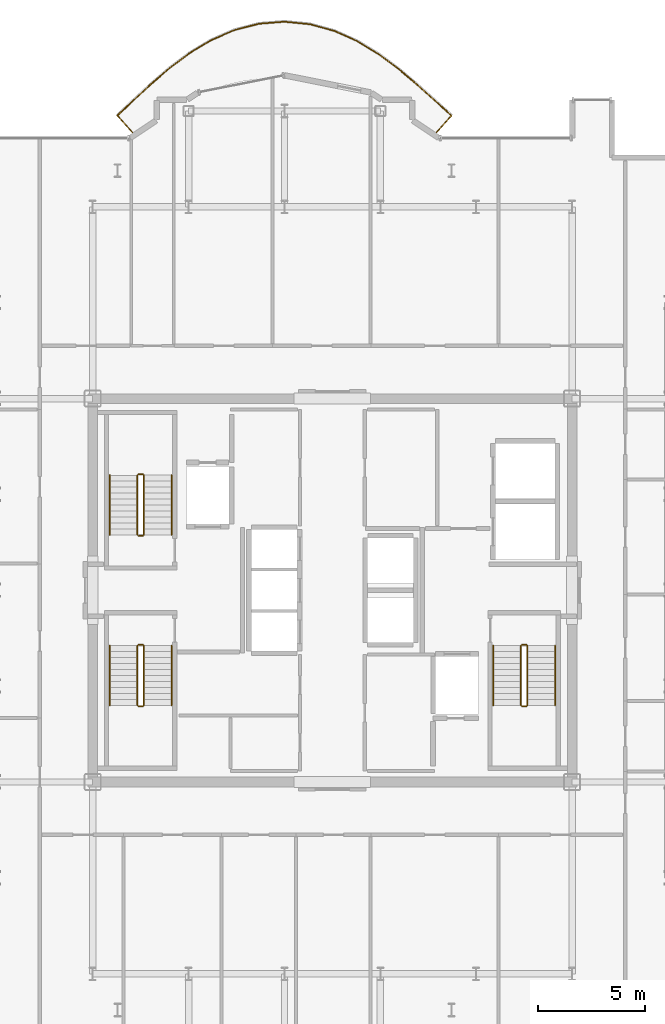
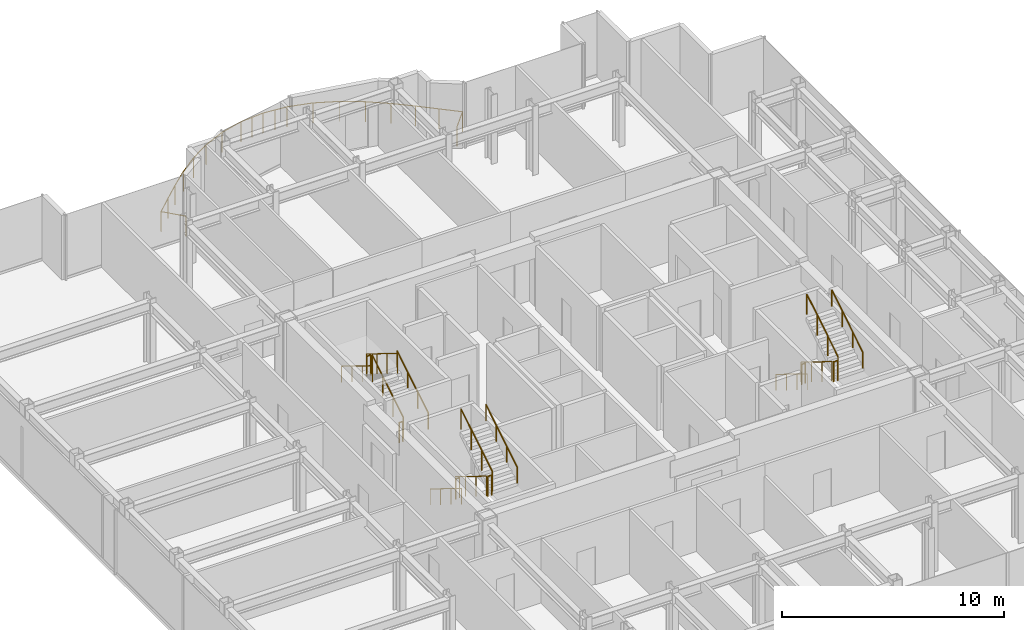
# One storey, part 18 of 18: 19 railings.
"""IFC4 building model written with IfcOpenShell, lengths in metres."""

from ifc_helpers import new_model, si_unit, direction, frame, origin, origin_2d, place, context, subcontext, project, spatial, circle, extrude, material, type_object, element, save


model = new_model("IFC4")

# Units and contexts
model_context = context("Model", 3, precision=1e-05, world=origin(), true_north=direction((0.0, 1.0)))
body_context = subcontext(model_context, "Body", "Model", "MODEL_VIEW")
ifc_project = project(units=[si_unit("LENGTHUNIT", "METRE"), si_unit("AREAUNIT", "SQUARE_METRE"), si_unit("VOLUMEUNIT", "CUBIC_METRE"), si_unit("PLANEANGLEUNIT", "RADIAN"), si_unit("MASSUNIT", "GRAM", prefix="KILO")], contexts=[model_context])

# Site, building, storey
site_placement = place(None, origin())
site = spatial("IfcSite", under=ifc_project, at=site_placement, CompositionType="ELEMENT")
building_placement = place(site_placement, origin())
building = spatial("IfcBuilding", under=site, at=building_placement, Name="Nefas-Gora Pilgrimage Tower", CompositionType="ELEMENT")
storey_placement = place(building_placement, frame((0.0, 0.0, 291.199951171875)))
storey = spatial("IfcBuildingStorey", under=building, at=storey_placement, Name="L73", CompositionType="ELEMENT", Elevation=291.199951171875)

# Railings
ifc_material_1 = material(Name="Laminated safety glass and stainless steel", Category="steel")
railing_type_1 = type_object("IfcRailingType", Name="RLG-BAL-1100", PredefinedType="BALUSTRADE", material=ifc_material_1)
railing_1_placement = place(storey_placement, frame((4.802490234375, 21.402587890625, 0.0)))
element("IfcRailing", 1, at=railing_1_placement, inside=storey, type_object=railing_type_1, Name="L73 Wave Balcony Balustrade N1", PredefinedType="BALUSTRADE", context=body_context, shape_type="SweptSolid", body=[
    extrude(circle(Radius=0.02392578125, at=origin_2d()), frame((0.0, 0.0, 1.09619140625), z_axis=(0.669113274241, 0.74316043102, 0.0), x_axis=(-0.74316043102, 0.669113274241, 0.0)), (0.0, 0.0, 1.0), 1.180419921875),
    extrude(circle(Radius=0.02392578125, at=origin_2d()), frame((0.789794921875, 0.877197265625, 1.09619140625), z_axis=(-0.741691494507, 0.670741177337, 0.0), x_axis=(-0.670741177337, -0.741691494507, 0.0)), (0.0, 0.0, 1.0), 1.0771484375),
    extrude(circle(Radius=0.02392578125, at=origin_2d()), frame((-0.009033203125, 1.599609375, 1.09619140625), z_axis=(-0.744512131343, 0.667608932147, 0.0), x_axis=(-0.667608932147, -0.744512131343, 0.0)), (0.0, 0.0, 1.0), 1.09521484375),
    extrude(circle(Radius=0.02392578125, at=origin_2d()), frame((-0.824462890625, 2.330810546875, 1.09619140625), z_axis=(-0.763015425676, 0.64638027521, 0.0), x_axis=(-0.64638027521, -0.763015425676, 0.0)), (0.0, 0.0, 1.0), 1.1240234375),
    extrude(circle(Radius=0.02392578125, at=origin_2d()), frame((-1.68212890625, 3.057373046875, 1.09619140625), z_axis=(-0.800735220579, 0.599018452574, 0.0), x_axis=(-0.599018452574, -0.800735220579, 0.0)), (0.0, 0.0, 1.0), 1.154541015625),
    extrude(circle(Radius=0.02392578125, at=origin_2d()), frame((-2.606689453125, 3.7490234375, 1.09619140625), z_axis=(-0.853742280901, 0.520695801598, 0.0), x_axis=(-0.520695801598, -0.853742280901, 0.0)), (0.0, 0.0, 1.0), 1.1787109375),
    extrude(circle(Radius=0.02392578125, at=origin_2d()), frame((-3.613037109375, 4.36279296875, 1.09619140625), z_axis=(-0.912533024613, 0.409003030539, 0.0), x_axis=(-0.409003030539, -0.912533024613, 0.0)), (0.0, 0.0, 1.0), 1.193115234375),
    extrude(circle(Radius=0.02392578125, at=origin_2d()), frame((-4.701904296875, 4.850830078125, 1.09619140625), z_axis=(-0.964107720996, 0.265511397715, 0.0), x_axis=(-0.265511397715, -0.964107720996, 0.0)), (0.0, 0.0, 1.0), 1.198974609375),
    extrude(circle(Radius=0.02392578125, at=origin_2d()), frame((-5.85791015625, 5.169189453125, 1.09619140625), z_axis=(-0.99518310835, 0.098033570044, 0.0), x_axis=(-0.098033570044, -0.99518310835, 0.0)), (0.0, 0.0, 1.0), 1.200439453125),
    extrude(circle(Radius=0.02392578125, at=origin_2d()), frame((-7.052490234375, 5.286865234375, 1.09619140625), z_axis=(-0.996817864329, -0.079712893272, 0.0), x_axis=(0.079712893272, -0.996817864329, 0.0)), (0.0, 0.0, 1.0), 1.20068359375),
    extrude(circle(Radius=0.02392578125, at=origin_2d()), frame((-8.249267578125, 5.191162109375, 1.09619140625), z_axis=(-0.96811032682, -0.250524240554, 0.0), x_axis=(0.250524240554, -0.96811032682, 0.0)), (0.0, 0.0, 1.0), 1.19970703125),
    extrude(circle(Radius=0.02392578125, at=origin_2d()), frame((-9.41064453125, 4.890625, 1.09619140625), z_axis=(-0.917018073476, -0.398845650496, 0.0), x_axis=(0.398845650496, -0.917018073476, 0.0)), (0.0, 0.0, 1.0), 1.19482421875),
    extrude(circle(Radius=0.02392578125, at=origin_2d()), frame((-10.50634765625, 4.4140625, 1.09619140625), z_axis=(-0.856288410146, -0.516497975455, 0.0), x_axis=(0.516497975455, -0.856288410146, 0.0)), (0.0, 0.0, 1.0), 1.1826171875),
    extrude(circle(Radius=0.02392578125, at=origin_2d()), frame((-11.51904296875, 3.80322265625, 1.09619140625), z_axis=(-0.799393735848, -0.600807502522, 0.0), x_axis=(0.600807502522, -0.799393735848, 0.0)), (0.0, 0.0, 1.0), 1.16064453125),
    extrude(circle(Radius=0.02392578125, at=origin_2d()), frame((-12.44677734375, 3.10595703125, 1.09619140625), z_axis=(-0.756920087297, -0.653507445593, 0.0), x_axis=(0.653507445593, -0.756920087297, 0.0)), (0.0, 0.0, 1.0), 1.130859375),
    extrude(circle(Radius=0.02392578125, at=origin_2d()), frame((-13.302734375, 2.366943359375, 1.09619140625), z_axis=(-0.733756578496, -0.679412454635, 0.0), x_axis=(0.679412454635, -0.733756578496, 0.0)), (0.0, 0.0, 1.0), 1.1005859375),
    extrude(circle(Radius=0.02392578125, at=origin_2d()), frame((-14.1103515625, 1.619140625, 1.09619140625), z_axis=(-0.727934382881, -0.685646799905, 0.0), x_axis=(0.685646799905, -0.727934382881, 0.0)), (0.0, 0.0, 1.0), 1.07958984375),
    extrude(circle(Radius=0.02392578125, at=origin_2d()), frame((-14.896240234375, 0.87890625, 1.09619140625), z_axis=(0.669078780144, -0.743191486739, 0.0), x_axis=(0.743191486739, 0.669078780144, 0.0)), (0.0, 0.0, 1.0), 1.1826171875),
    extrude(circle(Radius=0.02099609375, at=origin_2d()), origin(), (0.0, 0.0, 1.0), 1.072021484375),
    extrude(circle(Radius=0.02099609375, at=origin_2d()), frame((0.789794921875, 0.877197265625, 0.0)), (0.0, 0.0, 1.0), 1.072021484375),
    extrude(circle(Radius=0.02099609375, at=origin_2d()), frame((-0.009033203125, 1.599609375, 0.0)), (0.0, 0.0, 1.0), 1.072021484375),
    extrude(circle(Radius=0.02099609375, at=origin_2d()), frame((-0.824462890625, 2.330810546875, 0.0)), (0.0, 0.0, 1.0), 1.072021484375),
    extrude(circle(Radius=0.02099609375, at=origin_2d()), frame((-1.68212890625, 3.057373046875, 0.0)), (0.0, 0.0, 1.0), 1.072021484375),
    extrude(circle(Radius=0.02099609375, at=origin_2d()), frame((-2.606689453125, 3.7490234375, 0.0)), (0.0, 0.0, 1.0), 1.072021484375),
    extrude(circle(Radius=0.02099609375, at=origin_2d()), frame((-3.613037109375, 4.36279296875, 0.0)), (0.0, 0.0, 1.0), 1.072021484375),
    extrude(circle(Radius=0.02099609375, at=origin_2d()), frame((-4.701904296875, 4.850830078125, 0.0)), (0.0, 0.0, 1.0), 1.072021484375),
    extrude(circle(Radius=0.02099609375, at=origin_2d()), frame((-5.85791015625, 5.169189453125, 0.0)), (0.0, 0.0, 1.0), 1.072021484375),
    extrude(circle(Radius=0.02099609375, at=origin_2d()), frame((-6.455078125, 5.22802734375, 0.0)), (0.0, 0.0, 1.0), 1.072021484375),
    extrude(circle(Radius=0.02099609375, at=origin_2d()), frame((-7.052490234375, 5.286865234375, 0.0)), (0.0, 0.0, 1.0), 1.072021484375),
    extrude(circle(Radius=0.02099609375, at=origin_2d()), frame((-7.65087890625, 5.239013671875, 0.0)), (0.0, 0.0, 1.0), 1.072021484375),
    extrude(circle(Radius=0.02099609375, at=origin_2d()), frame((-8.249267578125, 5.191162109375, 0.0)), (0.0, 0.0, 1.0), 1.072021484375),
    extrude(circle(Radius=0.02099609375, at=origin_2d()), frame((-9.41064453125, 4.890625, 0.0)), (0.0, 0.0, 1.0), 1.072021484375),
    extrude(circle(Radius=0.02099609375, at=origin_2d()), frame((-10.50634765625, 4.4140625, 0.0)), (0.0, 0.0, 1.0), 1.072021484375),
    extrude(circle(Radius=0.02099609375, at=origin_2d()), frame((-11.51904296875, 3.80322265625, 0.0)), (0.0, 0.0, 1.0), 1.072021484375),
    extrude(circle(Radius=0.02099609375, at=origin_2d()), frame((-12.44677734375, 3.10595703125, 0.0)), (0.0, 0.0, 1.0), 1.072021484375),
    extrude(circle(Radius=0.02099609375, at=origin_2d()), frame((-13.302734375, 2.366943359375, 0.0)), (0.0, 0.0, 1.0), 1.072021484375),
    extrude(circle(Radius=0.02099609375, at=origin_2d()), frame((-14.1103515625, 1.619140625, 0.0)), (0.0, 0.0, 1.0), 1.072021484375),
    extrude(circle(Radius=0.02099609375, at=origin_2d()), frame((-14.896240234375, 0.87890625, 0.0)), (0.0, 0.0, 1.0), 1.072021484375),
    extrude(circle(Radius=0.02099609375, at=origin_2d()), frame((-14.10498046875, 0.0, 0.0)), (0.0, 0.0, 1.0), 1.072021484375),
])
ifc_material_2 = material(Name="Painted galvanised steel", Category="steel")
railing_type_2 = type_object("IfcRailingType", Name="RLG-STR-GUARD-1100", PredefinedType="GUARDRAIL", material=ifc_material_2)
railing_2_placement = place(storey_placement, frame((-8.85009765625, 2.60009765625, 0.1728515625)))
element("IfcRailing", 2, at=railing_2_placement, inside=storey, type_object=railing_type_2, Name="L73 ST-01 stair guard 1", PredefinedType="GUARDRAIL", context=body_context, shape_type="SweptSolid", body=[
    extrude(circle(Radius=0.02392578125, at=origin_2d()), frame((0.0, 0.0, 1.09619140625), z_axis=(0.0, 0.851069175582, 0.525053576669), x_axis=(-1.0, 0.0, 0.0)), (0.0, 0.0, 1.0), 3.289794921875),
    extrude(circle(Radius=0.02099609375, at=origin_2d()), origin(), (0.0, 0.0, 1.0), 1.072021484375),
    extrude(circle(Radius=0.02099609375, at=origin_2d()), frame((0.0, 0.933349609375, 0.57568359375)), (0.0, 0.0, 1.0), 1.072021484375),
    extrude(circle(Radius=0.02099609375, at=origin_2d()), frame((0.0, 1.866455078125, 1.151611328125)), (0.0, 0.0, 1.0), 1.072021484375),
    extrude(circle(Radius=0.02099609375, at=origin_2d()), frame((0.0, 2.7998046875, 1.727294921875)), (0.0, 0.0, 1.0), 1.072021484375),
])
railing_3_placement = place(storey_placement, frame((-8.89990234375, 5.449951171875, 1.900146484375)))
element("IfcRailing", 3, at=railing_3_placement, inside=storey, type_object=railing_type_2, Name="L73 ST-01 stair guard 2", PredefinedType="GUARDRAIL", context=body_context, shape_type="SweptSolid", body=[
    extrude(circle(Radius=0.02392578125, at=origin_2d()), frame((0.0, 0.0, 1.09619140625), z_axis=(-1.0, 0.0, 0.0), x_axis=(0.0, -1.0, 0.0)), (0.0, 0.0, 1.0), 0.2001953125),
    extrude(circle(Radius=0.02099609375, at=origin_2d()), origin(), (0.0, 0.0, 1.0), 1.072021484375),
    extrude(circle(Radius=0.02099609375, at=origin_2d()), frame((-0.2001953125, 0.0, 0.0)), (0.0, 0.0, 1.0), 1.072021484375),
])
railing_4_placement = place(storey_placement, frame((-9.14990234375, 5.39990234375, 2.07275390625)))
element("IfcRailing", 4, at=railing_4_placement, inside=storey, type_object=railing_type_2, Name="L73 ST-01 stair guard 3", PredefinedType="GUARDRAIL", context=body_context, shape_type="SweptSolid", body=[
    extrude(circle(Radius=0.02392578125, at=origin_2d()), frame((0.0, 0.0, 1.09619140625), z_axis=(0.0, -0.851069175582, 0.525053576669), x_axis=(1.0, 0.0, 0.0)), (0.0, 0.0, 1.0), 3.289794921875),
    extrude(circle(Radius=0.02099609375, at=origin_2d()), origin(), (0.0, 0.0, 1.0), 1.072021484375),
    extrude(circle(Radius=0.02099609375, at=origin_2d()), frame((0.0, -0.933349609375, 0.57568359375)), (0.0, 0.0, 1.0), 1.072021484375),
    extrude(circle(Radius=0.02099609375, at=origin_2d()), frame((0.0, -1.866455078125, 1.151611328125)), (0.0, 0.0, 1.0), 1.072021484375),
    extrude(circle(Radius=0.02099609375, at=origin_2d()), frame((0.0, -2.7998046875, 1.727294921875)), (0.0, 0.0, 1.0), 1.072021484375),
])
railing_5_placement = place(storey_placement, frame((-8.89990234375, 2.550048828125, 0.0)))
element("IfcRailing", 5, at=railing_5_placement, inside=storey, type_object=railing_type_2, Name="L73 ST-01 stair guard 4", PredefinedType="GUARDRAIL", context=body_context, shape_type="SweptSolid", body=[
    extrude(circle(Radius=0.02392578125, at=origin_2d()), frame((0.0, 0.0, 1.09619140625), z_axis=(-1.0, 0.0, 0.0), x_axis=(0.0, -1.0, 0.0)), (0.0, 0.0, 1.0), 0.2001953125),
    extrude(circle(Radius=0.02099609375, at=origin_2d()), origin(), (0.0, 0.0, 1.0), 1.072021484375),
    extrude(circle(Radius=0.02099609375, at=origin_2d()), frame((-0.2001953125, 0.0, 0.0)), (0.0, 0.0, 1.0), 1.072021484375),
])
railing_6_placement = place(storey_placement, frame((8.85009765625, -2.60009765625, 0.1728515625)))
element("IfcRailing", 6, at=railing_6_placement, inside=storey, type_object=railing_type_2, Name="L73 ST-02 stair guard 1", PredefinedType="GUARDRAIL", context=body_context, shape_type="SweptSolid", body=[
    extrude(circle(Radius=0.02392578125, at=origin_2d()), frame((0.0, 0.0, 1.09619140625), z_axis=(0.0, -0.851069175582, 0.525053576669), x_axis=(1.0, 0.0, 0.0)), (0.0, 0.0, 1.0), 3.289794921875),
    extrude(circle(Radius=0.02099609375, at=origin_2d()), origin(), (0.0, 0.0, 1.0), 1.072021484375),
    extrude(circle(Radius=0.02099609375, at=origin_2d()), frame((0.0, -0.933349609375, 0.57568359375)), (0.0, 0.0, 1.0), 1.072021484375),
    extrude(circle(Radius=0.02099609375, at=origin_2d()), frame((0.0, -1.866455078125, 1.151611328125)), (0.0, 0.0, 1.0), 1.072021484375),
    extrude(circle(Radius=0.02099609375, at=origin_2d()), frame((0.0, -2.7998046875, 1.727294921875)), (0.0, 0.0, 1.0), 1.072021484375),
])
railing_7_placement = place(storey_placement, frame((8.89990234375, -5.449951171875, 1.900146484375)))
element("IfcRailing", 7, at=railing_7_placement, inside=storey, type_object=railing_type_2, Name="L73 ST-02 stair guard 2", PredefinedType="GUARDRAIL", context=body_context, shape_type="SweptSolid", body=[
    extrude(circle(Radius=0.02392578125, at=origin_2d()), frame((0.0, 0.0, 1.09619140625), z_axis=(1.0, 0.0, 0.0), x_axis=(0.0, 1.0, 0.0)), (0.0, 0.0, 1.0), 0.2001953125),
    extrude(circle(Radius=0.02099609375, at=origin_2d()), origin(), (0.0, 0.0, 1.0), 1.072021484375),
    extrude(circle(Radius=0.02099609375, at=origin_2d()), frame((0.2001953125, 0.0, 0.0)), (0.0, 0.0, 1.0), 1.072021484375),
])
railing_8_placement = place(storey_placement, frame((9.14990234375, -5.39990234375, 2.07275390625)))
element("IfcRailing", 8, at=railing_8_placement, inside=storey, type_object=railing_type_2, Name="L73 ST-02 stair guard 3", PredefinedType="GUARDRAIL", context=body_context, shape_type="SweptSolid", body=[
    extrude(circle(Radius=0.02392578125, at=origin_2d()), frame((0.0, 0.0, 1.09619140625), z_axis=(0.0, 0.851069175582, 0.525053576669), x_axis=(-1.0, 0.0, 0.0)), (0.0, 0.0, 1.0), 3.289794921875),
    extrude(circle(Radius=0.02099609375, at=origin_2d()), origin(), (0.0, 0.0, 1.0), 1.072021484375),
    extrude(circle(Radius=0.02099609375, at=origin_2d()), frame((0.0, 0.933349609375, 0.57568359375)), (0.0, 0.0, 1.0), 1.072021484375),
    extrude(circle(Radius=0.02099609375, at=origin_2d()), frame((0.0, 1.866455078125, 1.151611328125)), (0.0, 0.0, 1.0), 1.072021484375),
    extrude(circle(Radius=0.02099609375, at=origin_2d()), frame((0.0, 2.7998046875, 1.727294921875)), (0.0, 0.0, 1.0), 1.072021484375),
])
railing_9_placement = place(storey_placement, frame((8.89990234375, -2.550048828125, 0.0)))
element("IfcRailing", 9, at=railing_9_placement, inside=storey, type_object=railing_type_2, Name="L73 ST-02 stair guard 4", PredefinedType="GUARDRAIL", context=body_context, shape_type="SweptSolid", body=[
    extrude(circle(Radius=0.02392578125, at=origin_2d()), frame((0.0, 0.0, 1.09619140625), z_axis=(1.0, 0.0, 0.0), x_axis=(0.0, 1.0, 0.0)), (0.0, 0.0, 1.0), 0.2001953125),
    extrude(circle(Radius=0.02099609375, at=origin_2d()), origin(), (0.0, 0.0, 1.0), 1.072021484375),
    extrude(circle(Radius=0.02099609375, at=origin_2d()), frame((0.2001953125, 0.0, 0.0)), (0.0, 0.0, 1.0), 1.072021484375),
])
railing_10_placement = place(storey_placement, frame((-9.14990234375, -2.60009765625, 0.1728515625)))
element("IfcRailing", 10, at=railing_10_placement, inside=storey, type_object=railing_type_2, Name="L73 ST-03 stair guard 1", PredefinedType="GUARDRAIL", context=body_context, shape_type="SweptSolid", body=[
    extrude(circle(Radius=0.02392578125, at=origin_2d()), frame((0.0, 0.0, 1.09619140625), z_axis=(0.0, -0.851069175582, 0.525053576669), x_axis=(1.0, 0.0, 0.0)), (0.0, 0.0, 1.0), 3.289794921875),
    extrude(circle(Radius=0.02099609375, at=origin_2d()), origin(), (0.0, 0.0, 1.0), 1.072021484375),
    extrude(circle(Radius=0.02099609375, at=origin_2d()), frame((0.0, -0.933349609375, 0.57568359375)), (0.0, 0.0, 1.0), 1.072021484375),
    extrude(circle(Radius=0.02099609375, at=origin_2d()), frame((0.0, -1.866455078125, 1.151611328125)), (0.0, 0.0, 1.0), 1.072021484375),
    extrude(circle(Radius=0.02099609375, at=origin_2d()), frame((0.0, -2.7998046875, 1.727294921875)), (0.0, 0.0, 1.0), 1.072021484375),
])
railing_11_placement = place(storey_placement, frame((-9.10009765625, -5.449951171875, 1.900146484375)))
element("IfcRailing", 11, at=railing_11_placement, inside=storey, type_object=railing_type_2, Name="L73 ST-03 stair guard 2", PredefinedType="GUARDRAIL", context=body_context, shape_type="SweptSolid", body=[
    extrude(circle(Radius=0.02392578125, at=origin_2d()), frame((0.0, 0.0, 1.09619140625), z_axis=(1.0, 0.0, 0.0), x_axis=(0.0, 1.0, 0.0)), (0.0, 0.0, 1.0), 0.2001953125),
    extrude(circle(Radius=0.02099609375, at=origin_2d()), origin(), (0.0, 0.0, 1.0), 1.072021484375),
    extrude(circle(Radius=0.02099609375, at=origin_2d()), frame((0.2001953125, 0.0, 0.0)), (0.0, 0.0, 1.0), 1.072021484375),
])
railing_12_placement = place(storey_placement, frame((-8.85009765625, -5.39990234375, 2.07275390625)))
element("IfcRailing", 12, at=railing_12_placement, inside=storey, type_object=railing_type_2, Name="L73 ST-03 stair guard 3", PredefinedType="GUARDRAIL", context=body_context, shape_type="SweptSolid", body=[
    extrude(circle(Radius=0.02392578125, at=origin_2d()), frame((0.0, 0.0, 1.09619140625), z_axis=(0.0, 0.851069175582, 0.525053576669), x_axis=(-1.0, 0.0, 0.0)), (0.0, 0.0, 1.0), 3.289794921875),
    extrude(circle(Radius=0.02099609375, at=origin_2d()), origin(), (0.0, 0.0, 1.0), 1.072021484375),
    extrude(circle(Radius=0.02099609375, at=origin_2d()), frame((0.0, 0.933349609375, 0.57568359375)), (0.0, 0.0, 1.0), 1.072021484375),
    extrude(circle(Radius=0.02099609375, at=origin_2d()), frame((0.0, 1.866455078125, 1.151611328125)), (0.0, 0.0, 1.0), 1.072021484375),
    extrude(circle(Radius=0.02099609375, at=origin_2d()), frame((0.0, 2.7998046875, 1.727294921875)), (0.0, 0.0, 1.0), 1.072021484375),
])
railing_13_placement = place(storey_placement, frame((-9.10009765625, -2.550048828125, 0.0)))
element("IfcRailing", 13, at=railing_13_placement, inside=storey, type_object=railing_type_2, Name="L73 ST-03 stair guard 4", PredefinedType="GUARDRAIL", context=body_context, shape_type="SweptSolid", body=[
    extrude(circle(Radius=0.02392578125, at=origin_2d()), frame((0.0, 0.0, 1.09619140625), z_axis=(1.0, 0.0, 0.0), x_axis=(0.0, 1.0, 0.0)), (0.0, 0.0, 1.0), 0.2001953125),
    extrude(circle(Radius=0.02099609375, at=origin_2d()), origin(), (0.0, 0.0, 1.0), 1.072021484375),
    extrude(circle(Radius=0.02099609375, at=origin_2d()), frame((0.2001953125, 0.0, 0.0)), (0.0, 0.0, 1.0), 1.072021484375),
])
ifc_material_3 = material(Name="Brushed stainless steel", Category="steel")
railing_type_3 = type_object("IfcRailingType", Name="RLG-STR-HAND-900", PredefinedType="HANDRAIL", material=ifc_material_3)
railing_14_placement = place(storey_placement, frame((-7.550048828125, 2.60009765625, 0.1728515625)))
element("IfcRailing", 14, at=railing_14_placement, inside=storey, type_object=railing_type_3, Name="L73 ST-01 stair handrail 1", PredefinedType="HANDRAIL", context=body_context, shape_type="SweptSolid", body=[
    extrude(circle(Radius=0.02392578125, at=origin_2d()), frame((0.0, 0.0, 0.8759765625), z_axis=(0.0, 0.851069175582, 0.525053576669), x_axis=(-1.0, 0.0, 0.0)), (0.0, 0.0, 1.0), 3.289794921875),
    extrude(circle(Radius=0.02099609375, at=origin_2d()), origin(), (0.0, 0.0, 1.0), 0.851806640625),
    extrude(circle(Radius=0.02099609375, at=origin_2d()), frame((0.0, 0.933349609375, 0.57568359375)), (0.0, 0.0, 1.0), 0.851806640625),
    extrude(circle(Radius=0.02099609375, at=origin_2d()), frame((0.0, 1.866455078125, 1.151611328125)), (0.0, 0.0, 1.0), 0.851806640625),
    extrude(circle(Radius=0.02099609375, at=origin_2d()), frame((0.0, 2.7998046875, 1.727294921875)), (0.0, 0.0, 1.0), 0.851806640625),
])
for number, where, name in (
    (15, (-10.449951171875, 5.39990234375, 2.07275390625), "L73 ST-01 stair handrail 2"),
    (16, (7.550048828125, -2.60009765625, 0.1728515625), "L73 ST-02 stair handrail 1"),
):
    element("IfcRailing", number, at=place(storey_placement, frame(where)), inside=storey, type_object=railing_type_3, Name=name, PredefinedType="HANDRAIL", context=body_context, shape_type="SweptSolid", body=[
        extrude(circle(Radius=0.02392578125, at=origin_2d()), frame((0.0, 0.0, 0.8759765625), z_axis=(0.0, -0.851069175582, 0.525053576669), x_axis=(1.0, 0.0, 0.0)), (0.0, 0.0, 1.0), 3.289794921875),
        extrude(circle(Radius=0.02099609375, at=origin_2d()), origin(), (0.0, 0.0, 1.0), 0.851806640625),
        extrude(circle(Radius=0.02099609375, at=origin_2d()), frame((0.0, -0.933349609375, 0.57568359375)), (0.0, 0.0, 1.0), 0.851806640625),
        extrude(circle(Radius=0.02099609375, at=origin_2d()), frame((0.0, -1.866455078125, 1.151611328125)), (0.0, 0.0, 1.0), 0.851806640625),
        extrude(circle(Radius=0.02099609375, at=origin_2d()), frame((0.0, -2.7998046875, 1.727294921875)), (0.0, 0.0, 1.0), 0.851806640625),
    ])
railing_15_placement = place(storey_placement, frame((10.449951171875, -5.39990234375, 2.07275390625)))
element("IfcRailing", 17, at=railing_15_placement, inside=storey, type_object=railing_type_3, Name="L73 ST-02 stair handrail 2", PredefinedType="HANDRAIL", context=body_context, shape_type="SweptSolid", body=[
    extrude(circle(Radius=0.02392578125, at=origin_2d()), frame((0.0, 0.0, 0.8759765625), z_axis=(0.0, 0.851069175582, 0.525053576669), x_axis=(-1.0, 0.0, 0.0)), (0.0, 0.0, 1.0), 3.289794921875),
    extrude(circle(Radius=0.02099609375, at=origin_2d()), origin(), (0.0, 0.0, 1.0), 0.851806640625),
    extrude(circle(Radius=0.02099609375, at=origin_2d()), frame((0.0, 0.933349609375, 0.57568359375)), (0.0, 0.0, 1.0), 0.851806640625),
    extrude(circle(Radius=0.02099609375, at=origin_2d()), frame((0.0, 1.866455078125, 1.151611328125)), (0.0, 0.0, 1.0), 0.851806640625),
    extrude(circle(Radius=0.02099609375, at=origin_2d()), frame((0.0, 2.7998046875, 1.727294921875)), (0.0, 0.0, 1.0), 0.851806640625),
])
railing_16_placement = place(storey_placement, frame((-10.449951171875, -2.60009765625, 0.1728515625)))
element("IfcRailing", 18, at=railing_16_placement, inside=storey, type_object=railing_type_3, Name="L73 ST-03 stair handrail 1", PredefinedType="HANDRAIL", context=body_context, shape_type="SweptSolid", body=[
    extrude(circle(Radius=0.02392578125, at=origin_2d()), frame((0.0, 0.0, 0.8759765625), z_axis=(0.0, -0.851069175582, 0.525053576669), x_axis=(1.0, 0.0, 0.0)), (0.0, 0.0, 1.0), 3.289794921875),
    extrude(circle(Radius=0.02099609375, at=origin_2d()), origin(), (0.0, 0.0, 1.0), 0.851806640625),
    extrude(circle(Radius=0.02099609375, at=origin_2d()), frame((0.0, -0.933349609375, 0.57568359375)), (0.0, 0.0, 1.0), 0.851806640625),
    extrude(circle(Radius=0.02099609375, at=origin_2d()), frame((0.0, -1.866455078125, 1.151611328125)), (0.0, 0.0, 1.0), 0.851806640625),
    extrude(circle(Radius=0.02099609375, at=origin_2d()), frame((0.0, -2.7998046875, 1.727294921875)), (0.0, 0.0, 1.0), 0.851806640625),
])
railing_17_placement = place(storey_placement, frame((-7.550048828125, -5.39990234375, 2.07275390625)))
element("IfcRailing", 19, at=railing_17_placement, inside=storey, type_object=railing_type_3, Name="L73 ST-03 stair handrail 2", PredefinedType="HANDRAIL", context=body_context, shape_type="SweptSolid", body=[
    extrude(circle(Radius=0.02392578125, at=origin_2d()), frame((0.0, 0.0, 0.8759765625), z_axis=(0.0, 0.851069175582, 0.525053576669), x_axis=(-1.0, 0.0, 0.0)), (0.0, 0.0, 1.0), 3.289794921875),
    extrude(circle(Radius=0.02099609375, at=origin_2d()), origin(), (0.0, 0.0, 1.0), 0.851806640625),
    extrude(circle(Radius=0.02099609375, at=origin_2d()), frame((0.0, 0.933349609375, 0.57568359375)), (0.0, 0.0, 1.0), 0.851806640625),
    extrude(circle(Radius=0.02099609375, at=origin_2d()), frame((0.0, 1.866455078125, 1.151611328125)), (0.0, 0.0, 1.0), 0.851806640625),
    extrude(circle(Radius=0.02099609375, at=origin_2d()), frame((0.0, 2.7998046875, 1.727294921875)), (0.0, 0.0, 1.0), 0.851806640625),
])

save(model, "model.ifc")
